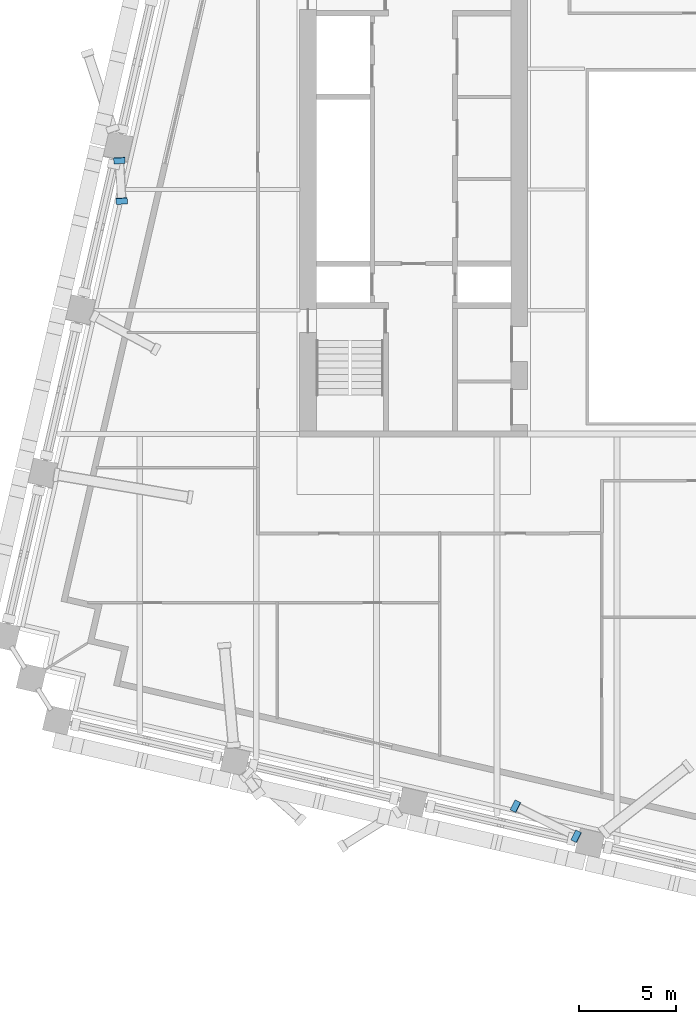
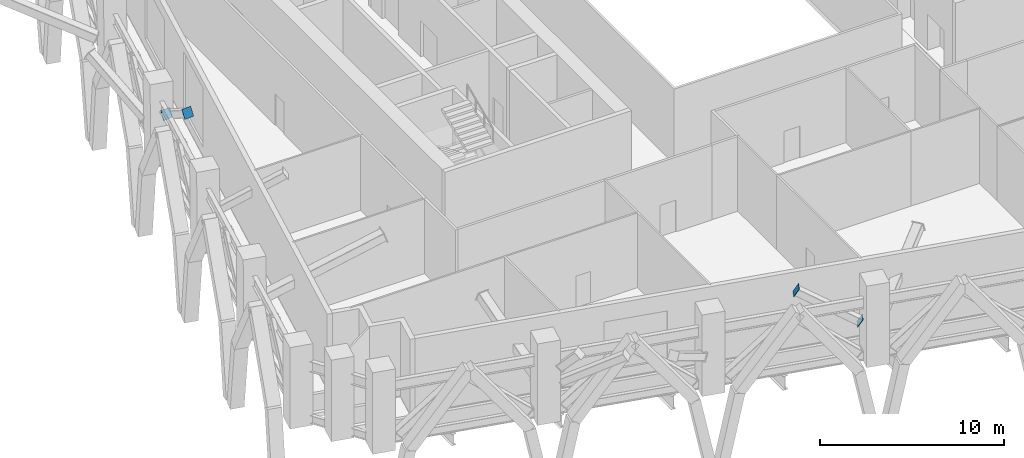
# One storey, part 15 of 20: 4 discrete accessories.
"""IFC4 building model written with IfcOpenShell, lengths in metres."""

import ifcopenshell
import ifcopenshell.guid

model = None  # the IFC model being written
_history = None  # IfcOwnerHistory: only IFC2X3 demands one
_inside = {}  # id of a spatial element -> (the spatial element, [elements in it])
_under = {}  # id of a project, library or spatial element -> (it, [spatial elements below it])
_declared = {}  # id of a project -> (the project, [libraries it declares])
_typed = {}  # id of a type object -> (the type object, [elements of that type])
_made_of = {}  # id of a material, layer set ... -> (it, [elements and type objects made of it])


def new_model(schema):
    """Start an empty IFC model of exactly this schema.

    Asked for "IFC4X3", IfcOpenShell would pick the latest addendum, in which some entities
    have other attributes; the version numbers below select the first issue.
    IFC2X3 requires an IfcOwnerHistory on every rooted entity: one is made here for all.
    """
    global model, _history
    if schema == "IFC4X3":
        model = ifcopenshell.file(schema_version=(4, 3, 0, 0))
    else:
        model = ifcopenshell.file(schema=schema)
    _inside.clear()
    _under.clear()
    _declared.clear()
    _typed.clear()
    _made_of.clear()
    _history = None
    if model.schema == "IFC2X3":
        org = make("IfcOrganization", Name="unknown")
        user = make(
            "IfcPersonAndOrganization",
            ThePerson=make("IfcPerson", FamilyName="unknown"),
            TheOrganization=org,
        )
        app = make(
            "IfcApplication",
            ApplicationDeveloper=org,
            Version="unknown",
            ApplicationFullName="unknown",
            ApplicationIdentifier="unknown",
        )
        _history = make(
            "IfcOwnerHistory",
            OwningUser=user,
            OwningApplication=app,
            ChangeAction="ADDED",
            CreationDate=0,
        )
    return model


def make(cls, **values):
    """One entity of the class cls with the attributes given. An attribute that is None is left unset."""
    return model.create_entity(
        cls, **{name: value for name, value in values.items() if value is not None}
    )


def rooted(cls, **values):
    """An entity with a GlobalId (a new one), such as an element, a storey or a relation."""
    return make(cls, GlobalId=ifcopenshell.guid.new(), OwnerHistory=_history, **values)


def si_unit(unit_type, name, prefix=None):
    """IfcSIUnit, for example si_unit("LENGTHUNIT", "METRE", prefix="MILLI")."""
    return make("IfcSIUnit", UnitType=unit_type, Prefix=prefix, Name=name)


def assignment(units):
    """IfcUnitAssignment: the units of a project."""
    return None if units is None else make("IfcUnitAssignment", Units=units)


def point(xyz):
    """IfcCartesianPoint."""
    return None if xyz is None else make("IfcCartesianPoint", Coordinates=xyz)


def direction(xyz):
    """IfcDirection."""
    return None if xyz is None else make("IfcDirection", DirectionRatios=xyz)


def frame(location, z_axis=None, x_axis=None):
    """IfcAxis2Placement3D, a coordinate frame: its origin and axes. An axis left out is left unset."""
    return make(
        "IfcAxis2Placement3D",
        Location=point(location),
        Axis=direction(z_axis),
        RefDirection=direction(x_axis),
    )


def frame_2d(location, x_axis=None):
    """IfcAxis2Placement2D, a coordinate frame in the plane: its origin and x axis."""
    return make(
        "IfcAxis2Placement2D", Location=point(location), RefDirection=direction(x_axis)
    )


def origin():
    """The frame at (0, 0, 0) with its axes left unset."""
    return frame((0.0, 0.0, 0.0))


def origin_2d():
    """The frame at (0, 0) in the plane with its x axis left unset."""
    return frame_2d((0.0, 0.0))


def place(relative_to, where):
    """IfcLocalPlacement: puts the frame where relative to a parent placement (None: the world)."""
    return make(
        "IfcLocalPlacement", PlacementRelTo=relative_to, RelativePlacement=where
    )


def context(
    kind, dimensions, precision=None, world=None, true_north=None, identifier=None
):
    """IfcGeometricRepresentationContext, for example the 3D "Model" context."""
    return make(
        "IfcGeometricRepresentationContext",
        ContextIdentifier=identifier,
        ContextType=kind,
        CoordinateSpaceDimension=dimensions,
        Precision=precision,
        WorldCoordinateSystem=world,
        TrueNorth=true_north,
    )


def subcontext(parent, identifier, kind, view, scale=None):
    """IfcGeometricRepresentationSubContext, for example "Body" below "Model"."""
    return make(
        "IfcGeometricRepresentationSubContext",
        ContextIdentifier=identifier,
        ContextType=kind,
        ParentContext=parent,
        TargetScale=scale,
        TargetView=view,
    )


def project(units=None, contexts=None):
    """IfcProject with its units and contexts."""
    return rooted(
        "IfcProject",
        Name="project",
        RepresentationContexts=contexts,
        UnitsInContext=assignment(units),
    )


def spatial(cls, under=None, at=None, **own):
    """A site, building, storey or space (cls), placed at a placement, below another one or the project."""
    s = rooted(cls, ObjectPlacement=at, **own)
    if under is not None:
        _under.setdefault(under.id(), (under, []))[1].append(s)
    return s


def profile(cls, at=None, kind="AREA", **sizes):
    """A parametric profile (cls). Its sizes go by their IFC names, for example OverallWidth=200.0."""
    return make(cls, ProfileType=kind, Position=at, **sizes)


def rectangle(**sizes):
    """IfcRectangleProfileDef."""
    return profile("IfcRectangleProfileDef", **sizes)


def extrude(swept, where, along, depth):
    """IfcExtrudedAreaSolid: the profile swept, set in the frame where, extruded along a direction by depth."""
    return make(
        "IfcExtrudedAreaSolid",
        SweptArea=swept,
        Position=where,
        ExtrudedDirection=direction(along),
        Depth=depth,
    )


def shape(context_of_items, identifier, shape_type, items):
    """IfcShapeRepresentation: the items that make up one representation, for example the "Body"."""
    return make(
        "IfcShapeRepresentation",
        ContextOfItems=context_of_items,
        RepresentationIdentifier=identifier,
        RepresentationType=shape_type,
        Items=items,
    )


def material(Name=None, Category=None):
    """IfcMaterial."""
    return make("IfcMaterial", Name=Name, Category=Category)


def material_profile(
    of_material, cross_section, Name=None, Category=None, Priority=None
):
    """IfcMaterialProfile: a cross section and its material."""
    return make(
        "IfcMaterialProfile",
        Name=Name,
        Material=of_material,
        Profile=cross_section,
        Priority=Priority,
        Category=Category,
    )


def profile_set(profiles, Name=None, composite=None):
    """IfcMaterialProfileSet."""
    return make(
        "IfcMaterialProfileSet",
        Name=Name,
        MaterialProfiles=profiles,
        CompositeProfile=composite,
    )


def made_of(thing, what):
    """Note that an element or type object is made of a material, layer set ...; save() writes the relation."""
    if what is not None:
        _made_of.setdefault(what.id(), (what, []))[1].append(thing)
    return thing


def type_object(cls, material=None, **own):
    """A type object (cls), such as IfcWallType, which elements share."""
    return made_of(rooted(cls, **own), material)


def element(
    cls,
    number,
    at=None,
    inside=None,
    cuts=None,
    type_object=None,
    material=None,
    context=None,
    identifier="Body",
    shape_type=None,
    held_by="IfcProductDefinitionShape",
    body=None,
    shapes=None,
    **own,
):
    """One element of the class cls, such as IfcWall. Its Tag is "e" and its number.

    at: its placement. inside: the storey or other place that contains it. cuts: it is an
    opening in that element (IfcRelVoidsElement). A single representation is given by context,
    identifier, shape_type and body (its items); several are given by shapes. held_by: the class
    of the entity that holds the representations. save() writes the other relations.
    """
    e = rooted(cls, Tag="e%d" % number, ObjectPlacement=at, **own)
    if body is not None:
        shapes = [shape(context, identifier, shape_type, body)]
    if shapes is not None:
        e.Representation = make(held_by, Representations=shapes)
    if inside is not None:
        _inside.setdefault(inside.id(), (inside, []))[1].append(e)
    if cuts is not None:
        rooted(
            "IfcRelVoidsElement", RelatingBuildingElement=cuts, RelatedOpeningElement=e
        )
    if type_object is not None:
        _typed.setdefault(type_object.id(), (type_object, []))[1].append(e)
    return made_of(e, material)


def aggregate(whole, parts):
    """IfcRelAggregates: a whole, such as a stair, and the parts it consists of."""
    return rooted("IfcRelAggregates", RelatingObject=whole, RelatedObjects=parts)


def save(model, path):
    """Write the relations noted so far, then the file.

    IfcRelAggregates (storeys below a building ...), IfcRelContainedInSpatialStructure (elements
    in a storey), IfcRelDefinesByType, IfcRelAssociatesMaterial and IfcRelDeclares: one each for
    every whole, place, type object, material and project.
    """
    for whole, parts in _under.values():
        aggregate(whole, parts)
    for where, things in _inside.values():
        rooted(
            "IfcRelContainedInSpatialStructure",
            RelatedElements=things,
            RelatingStructure=where,
        )
    for kind, things in _typed.values():
        rooted("IfcRelDefinesByType", RelatedObjects=things, RelatingType=kind)
    for what, things in _made_of.values():
        rooted("IfcRelAssociatesMaterial", RelatedObjects=things, RelatingMaterial=what)
    for by, libraries in _declared.values():
        rooted("IfcRelDeclares", RelatingContext=by, RelatedDefinitions=libraries)
    model.write(path)


model = new_model("IFC4")

# Units and contexts
model_context = context("Model", 3, precision=1e-05, world=origin(), true_north=direction((0.0, 1.0)))
body_context = subcontext(model_context, "Body", "Model", "MODEL_VIEW")
ifc_project = project(units=[si_unit("LENGTHUNIT", "METRE"), si_unit("AREAUNIT", "SQUARE_METRE"), si_unit("VOLUMEUNIT", "CUBIC_METRE"), si_unit("PLANEANGLEUNIT", "RADIAN"), si_unit("MASSUNIT", "GRAM", prefix="KILO")], contexts=[model_context])

# Site, building, storey
site_placement = place(None, origin())
site = spatial("IfcSite", under=ifc_project, at=site_placement, CompositionType="ELEMENT")
building_placement = place(site_placement, origin())
building = spatial("IfcBuilding", under=site, at=building_placement, Name="Ogive Exchange Tower", CompositionType="ELEMENT")
storey_placement = place(building_placement, frame((0.0, 0.0, 160.199951171875)))
storey = spatial("IfcBuildingStorey", under=building, at=storey_placement, Name="L35", CompositionType="ELEMENT", Elevation=160.199951171875)

# Discrete accessories
ifc_material = material(Name="Steel ASTM A572 Gr50", Category="steel")
ifc_material_profile = material_profile(ifc_material, rectangle(XDim=0.576904296875, YDim=0.576904296875, at=origin_2d()), Name="PL 577 x 577 x 25")
ifc_profile_set = profile_set([ifc_material_profile], Name="Steel ASTM A572 Gr50")
discrete_accessory_type = type_object("IfcDiscreteAccessoryType", Name="Gusset plate 577 x 577 x 25", PredefinedType="USERDEFINED", material=ifc_profile_set)
for number, where, z_axis, x_axis, name in (
    (1, (-7.65234375, -23.25927734375, 2.588134765625), (-0.756533163247, 0.378266581624, 0.533452871521), (-0.4472135955, -0.894427191, 0.0), "Block-change strut 2 end plate A"),
    (2, (-10.763427734375, -21.711669921875, 4.74267578125), (-0.760441994746, 0.380220997373, 0.526459842517), (-0.4472135955, -0.894427191, 0.0), "Block-change strut 2 end plate B"),
):
    element("IfcDiscreteAccessory", number, at=place(storey_placement, frame(where, z_axis=z_axis, x_axis=x_axis)), inside=storey, type_object=discrete_accessory_type, Name=name, ObjectType="GUSSET PLATE", PredefinedType="USERDEFINED", context=body_context, shape_type="SweptSolid", body=[
        extrude(rectangle(XDim=0.576904296875, YDim=0.576904296875, at=origin_2d()), origin(), (0.0, 0.0, 1.0), 0.025146484375),
    ])
discrete_accessory_1_placement = place(storey_placement, frame((-31.107666015625, 11.446044921875, 3.45361328125), z_axis=(0.049021963819, -0.852982170447, 0.519632816479), x_axis=(0.998352606703, 0.057376586592, 0.0)))
element("IfcDiscreteAccessory", 3, at=discrete_accessory_1_placement, inside=storey, type_object=discrete_accessory_type, Name="Block-change strut 26 end plate A", ObjectType="GUSSET PLATE", PredefinedType="USERDEFINED", context=body_context, shape_type="SweptSolid", body=[
    extrude(rectangle(XDim=0.576904296875, YDim=0.576904296875, at=origin_2d()), origin(), (0.0, 0.0, 1.0), 0.02490234375),
])
discrete_accessory_2_placement = place(storey_placement, frame((-30.986572265625, 9.370361328125, 4.74267578125), z_axis=(0.048771784515, -0.848629050564, 0.526735272764), x_axis=(0.998352606703, 0.057376586592, 0.0)))
element("IfcDiscreteAccessory", 4, at=discrete_accessory_2_placement, inside=storey, type_object=discrete_accessory_type, Name="Block-change strut 26 end plate B", ObjectType="GUSSET PLATE", PredefinedType="USERDEFINED", context=body_context, shape_type="SweptSolid", body=[
    extrude(rectangle(XDim=0.576904296875, YDim=0.576904296875, at=origin_2d()), origin(), (0.0, 0.0, 1.0), 0.025146484375),
])

save(model, "model.ifc")
